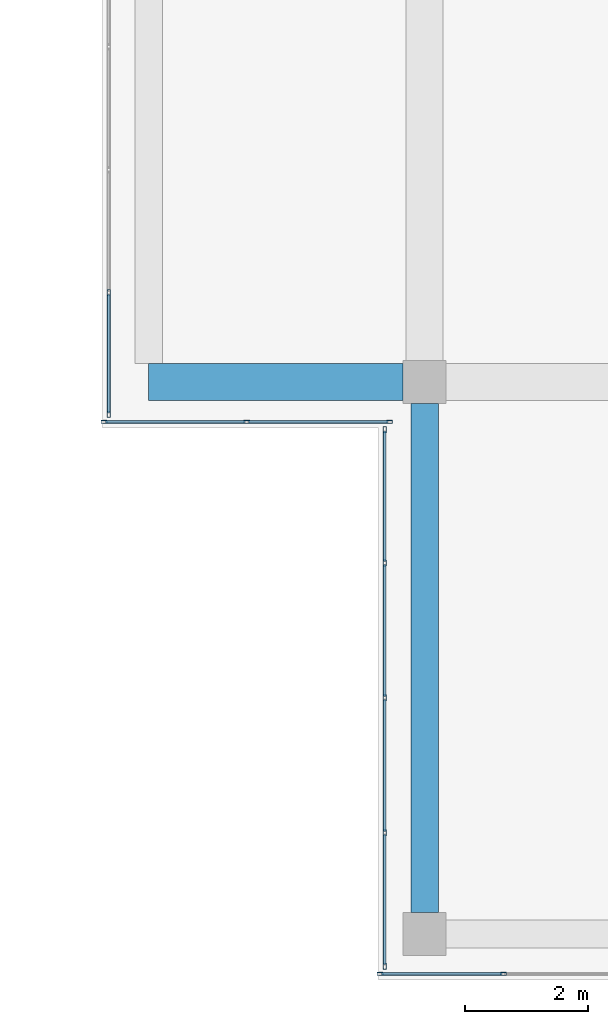
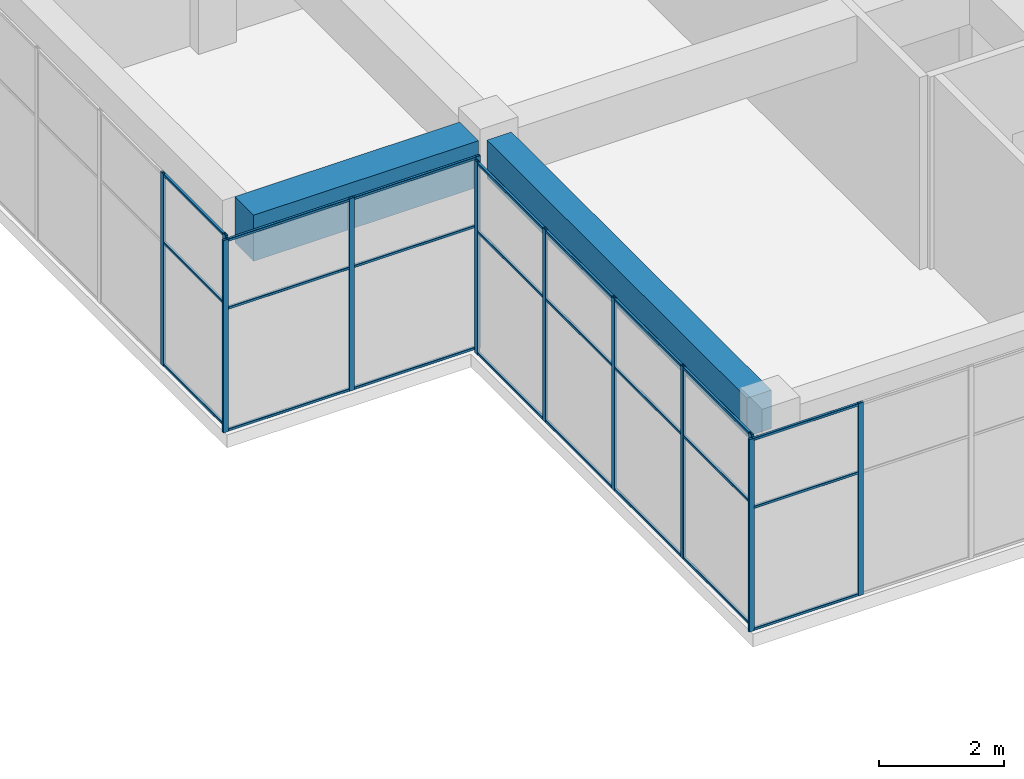
# One storey, part 9 of 43: 36 members, 2 beams, 4 elements without a shape of their own.
"""IFC4 building model written with IfcOpenShell, lengths in metres."""

from ifc_helpers import new_model, si_unit, direction, frame, origin, origin_2d, place, context, subcontext, project, spatial, rectangle, hollow_rectangle, extrude, material, layer, layer_set, material_profile, profile_set, type_object, element, aggregate, save


model = new_model("IFC4")

# Units and contexts
model_context = context("Model", 3, precision=1e-05, world=origin(), true_north=direction((0.0, 1.0)))
body_context = subcontext(model_context, "Body", "Model", "MODEL_VIEW")
ifc_project = project(units=[si_unit("LENGTHUNIT", "METRE"), si_unit("AREAUNIT", "SQUARE_METRE"), si_unit("VOLUMEUNIT", "CUBIC_METRE"), si_unit("PLANEANGLEUNIT", "RADIAN"), si_unit("MASSUNIT", "GRAM", prefix="KILO")], contexts=[model_context])

# Site, building, storey
site_placement = place(None, origin())
site = spatial("IfcSite", under=ifc_project, at=site_placement, CompositionType="ELEMENT")
building_placement = place(site_placement, origin())
building = spatial("IfcBuilding", under=site, at=building_placement, Name="Tuart Plaza Theatre", CompositionType="ELEMENT")
storey_placement = place(building_placement, frame((0.0, 0.0, 33.5)))
storey = spatial("IfcBuildingStorey", under=building, at=storey_placement, Name="L08", CompositionType="ELEMENT", Elevation=33.5)

# Beams
ifc_material_1 = material(Name="Concrete N40 (40 MPa)", Category="concrete")
ifc_material_profile_1 = material_profile(ifc_material_1, rectangle(XDim=0.449951171875, YDim=0.75, at=origin_2d()), Name="BEAM 450x750 Concrete N40 (40 MPa)")
ifc_profile_set_1 = profile_set([ifc_material_profile_1], Name="Concrete N40 (40 MPa)")
beam_type_1 = type_object("IfcBeamType", Name="BEAM 450x750 Concrete N40 (40 MPa)", PredefinedType="BEAM", material=ifc_profile_set_1)
beam_1_placement = place(storey_placement, frame((114.0, 56.35009765625, 3.375), z_axis=(0.0, 1.0, 0.0), x_axis=(-1.0, 0.0, 0.0)))
element("IfcBeam", 1, at=beam_1_placement, inside=storey, type_object=beam_type_1, Name="RB255", PredefinedType="BEAM", context=body_context, shape_type="SweptSolid", body=[
    extrude(rectangle(XDim=0.449951171875, YDim=0.75, at=origin_2d()), origin(), (0.0, 0.0, 1.0), 8.2998046875),
])
ifc_material_2 = material(Name="Concrete N40 (40 MPa)", Category="concrete")
ifc_material_profile_2 = material_profile(ifc_material_2, rectangle(XDim=0.60009765625, YDim=0.89990234375, at=origin_2d()), Name="BEAM 600x900 Concrete N40 (40 MPa)")
ifc_profile_set_2 = profile_set([ifc_material_profile_2], Name="Concrete N40 (40 MPa)")
beam_type_2 = type_object("IfcBeamType", Name="BEAM 600x900 Concrete N40 (40 MPa)", PredefinedType="BEAM", material=ifc_profile_set_2)
beam_2_placement = place(storey_placement, frame((109.5, 65.0, 3.300048828125), z_axis=(1.0, 0.0, 0.0), x_axis=(0.0, 1.0, 0.0)))
element("IfcBeam", 2, at=beam_2_placement, inside=storey, type_object=beam_type_2, Name="RB249", PredefinedType="BEAM", context=body_context, shape_type="SweptSolid", body=[
    extrude(rectangle(XDim=0.60009765625, YDim=0.89990234375, at=origin_2d()), origin(), (0.0, 0.0, 1.0), 4.14990234375),
])

# Curtain wall, members
ifc_material_3 = material(Name="Aluminium and glass", Category="aluminium")
ifc_layer = layer(ifc_material_3, 0.10009765625)
ifc_layer_set = layer_set([ifc_layer], Name="CURTAIN WALL 2000 module")
curtain_wall_type = type_object("IfcCurtainWallType", Name="CURTAIN WALL 2000 module", PredefinedType="NOTDEFINED", material=ifc_layer_set)
curtain_wall_1_placement = place(storey_placement, origin())
curtain_wall_1 = element("IfcCurtainWall", 3, at=curtain_wall_1_placement, inside=storey, type_object=curtain_wall_type, Name="CW88", PredefinedType="NOTDEFINED")
ifc_material_4 = material(Name="Aluminium 6063-T5", Category="aluminium")
ifc_material_profile_3 = material_profile(ifc_material_4, hollow_rectangle(XDim=0.050048828125, YDim=0.10009765625, WallThickness=0.00390625, InnerFilletRadius=0.00390625, OuterFilletRadius=0.008056640625, at=origin_2d()), Name="RHS 100x50x4")
ifc_profile_set_3 = profile_set([ifc_material_profile_3], Name="Aluminium 6063-T5")
member_type_1 = type_object("IfcMemberType", Name="MULLION RHS 100x50x4", PredefinedType="MULLION", material=ifc_profile_set_3)
member_1_placement = place(storey_placement, frame((113.27490234375, 55.35009765625, 0.0), z_axis=(0.0, 0.0, 1.0), x_axis=(0.0, 1.0, 0.0)))
member_1 = element("IfcMember", 4, at=member_1_placement, type_object=member_type_1, Name="CW88 mullion 1", PredefinedType="MULLION", context=body_context, shape_type="SweptSolid", body=[
    extrude(hollow_rectangle(XDim=0.050048828125, YDim=0.10009765625, WallThickness=0.00390625, InnerFilletRadius=0.00390625, OuterFilletRadius=0.008056640625, at=origin_2d()), origin(), (0.0, 0.0, 1.0), 3.75),
])
member_2_placement = place(storey_placement, frame((115.28564453125, 55.35009765625, 0.0), z_axis=(0.0, 0.0, 1.0), x_axis=(0.0, 1.0, 0.0)))
member_2 = element("IfcMember", 5, at=member_2_placement, type_object=member_type_1, Name="CW88 mullion 2", PredefinedType="MULLION", context=body_context, shape_type="SweptSolid", body=[
    extrude(hollow_rectangle(XDim=0.050048828125, YDim=0.10009765625, WallThickness=0.00390625, InnerFilletRadius=0.00390625, OuterFilletRadius=0.008056640625, at=origin_2d()), origin(), (0.0, 0.0, 1.0), 3.75),
])

curtain_wall_2_placement = place(storey_placement, origin())
curtain_wall_2 = element("IfcCurtainWall", 6, at=curtain_wall_2_placement, inside=storey, type_object=curtain_wall_type, Name="CW97", PredefinedType="NOTDEFINED")
member_3_placement = place(storey_placement, frame((108.85009765625, 66.45703125, 0.0), z_axis=(0.0, 0.0, 1.0), x_axis=(1.0, 0.0, 0.0)))
member_3 = element("IfcMember", 7, at=member_3_placement, type_object=member_type_1, Name="CW97 mullion 14", PredefinedType="MULLION", context=body_context, shape_type="SweptSolid", body=[
    extrude(hollow_rectangle(XDim=0.050048828125, YDim=0.10009765625, WallThickness=0.00390625, InnerFilletRadius=0.00390625, OuterFilletRadius=0.008056640625, at=origin_2d()), origin(), (0.0, 0.0, 1.0), 3.75),
])
member_4_placement = place(storey_placement, frame((108.85009765625, 64.47509765625, 0.0), z_axis=(0.0, 0.0, 1.0), x_axis=(1.0, 0.0, 0.0)))
member_4 = element("IfcMember", 8, at=member_4_placement, type_object=member_type_1, Name="CW97 mullion 15", PredefinedType="MULLION", context=body_context, shape_type="SweptSolid", body=[
    extrude(hollow_rectangle(XDim=0.050048828125, YDim=0.10009765625, WallThickness=0.00390625, InnerFilletRadius=0.00390625, OuterFilletRadius=0.008056640625, at=origin_2d()), origin(), (0.0, 0.0, 1.0), 3.75),
])

curtain_wall_3_placement = place(storey_placement, origin())
curtain_wall_3 = element("IfcCurtainWall", 9, at=curtain_wall_3_placement, inside=storey, type_object=curtain_wall_type, Name="CW98", PredefinedType="NOTDEFINED")
member_5_placement = place(storey_placement, frame((108.77490234375, 64.35009765625, 0.0), z_axis=(0.0, 0.0, 1.0), x_axis=(0.0, 1.0, 0.0)))
member_5 = element("IfcMember", 10, at=member_5_placement, type_object=member_type_1, Name="CW98 mullion 1", PredefinedType="MULLION", context=body_context, shape_type="SweptSolid", body=[
    extrude(hollow_rectangle(XDim=0.050048828125, YDim=0.10009765625, WallThickness=0.00390625, InnerFilletRadius=0.00390625, OuterFilletRadius=0.008056640625, at=origin_2d()), origin(), (0.0, 0.0, 1.0), 3.75),
])
member_6_placement = place(storey_placement, frame((111.10009765625, 64.35009765625, 0.0), z_axis=(0.0, 0.0, 1.0), x_axis=(0.0, 1.0, 0.0)))
member_6 = element("IfcMember", 11, at=member_6_placement, type_object=member_type_1, Name="CW98 mullion 2", PredefinedType="MULLION", context=body_context, shape_type="SweptSolid", body=[
    extrude(hollow_rectangle(XDim=0.050048828125, YDim=0.10009765625, WallThickness=0.00390625, InnerFilletRadius=0.00390625, OuterFilletRadius=0.008056640625, at=origin_2d()), origin(), (0.0, 0.0, 1.0), 3.75),
])
member_7_placement = place(storey_placement, frame((113.425048828125, 64.35009765625, 0.0), z_axis=(0.0, 0.0, 1.0), x_axis=(0.0, 1.0, 0.0)))
member_7 = element("IfcMember", 12, at=member_7_placement, type_object=member_type_1, Name="CW98 mullion 3", PredefinedType="MULLION", context=body_context, shape_type="SweptSolid", body=[
    extrude(hollow_rectangle(XDim=0.050048828125, YDim=0.10009765625, WallThickness=0.00390625, InnerFilletRadius=0.00390625, OuterFilletRadius=0.008056640625, at=origin_2d()), origin(), (0.0, 0.0, 1.0), 3.75),
])

curtain_wall_4_placement = place(storey_placement, origin())
curtain_wall_4 = element("IfcCurtainWall", 13, at=curtain_wall_4_placement, inside=storey, type_object=curtain_wall_type, Name="CW99", PredefinedType="NOTDEFINED")
member_8_placement = place(storey_placement, frame((113.35009765625, 64.22509765625, 0.0), z_axis=(0.0, 0.0, 1.0), x_axis=(1.0, 0.0, 0.0)))
member_8 = element("IfcMember", 14, at=member_8_placement, type_object=member_type_1, Name="CW99 mullion 1", PredefinedType="MULLION", context=body_context, shape_type="SweptSolid", body=[
    extrude(hollow_rectangle(XDim=0.050048828125, YDim=0.10009765625, WallThickness=0.00390625, InnerFilletRadius=0.00390625, OuterFilletRadius=0.008056640625, at=origin_2d()), origin(), (0.0, 0.0, 1.0), 3.75),
])
member_9_placement = place(storey_placement, frame((113.35009765625, 62.050048828125, 0.0), z_axis=(0.0, 0.0, 1.0), x_axis=(1.0, 0.0, 0.0)))
member_9 = element("IfcMember", 15, at=member_9_placement, type_object=member_type_1, Name="CW99 mullion 2", PredefinedType="MULLION", context=body_context, shape_type="SweptSolid", body=[
    extrude(hollow_rectangle(XDim=0.050048828125, YDim=0.10009765625, WallThickness=0.00390625, InnerFilletRadius=0.00390625, OuterFilletRadius=0.008056640625, at=origin_2d()), origin(), (0.0, 0.0, 1.0), 3.75),
])
member_10_placement = place(storey_placement, frame((113.35009765625, 59.85009765625, 0.0), z_axis=(0.0, 0.0, 1.0), x_axis=(1.0, 0.0, 0.0)))
member_10 = element("IfcMember", 16, at=member_10_placement, type_object=member_type_1, Name="CW99 mullion 3", PredefinedType="MULLION", context=body_context, shape_type="SweptSolid", body=[
    extrude(hollow_rectangle(XDim=0.050048828125, YDim=0.10009765625, WallThickness=0.00390625, InnerFilletRadius=0.00390625, OuterFilletRadius=0.008056640625, at=origin_2d()), origin(), (0.0, 0.0, 1.0), 3.75),
])
member_11_placement = place(storey_placement, frame((113.35009765625, 57.64990234375, 0.0), z_axis=(0.0, 0.0, 1.0), x_axis=(1.0, 0.0, 0.0)))
member_11 = element("IfcMember", 17, at=member_11_placement, type_object=member_type_1, Name="CW99 mullion 4", PredefinedType="MULLION", context=body_context, shape_type="SweptSolid", body=[
    extrude(hollow_rectangle(XDim=0.050048828125, YDim=0.10009765625, WallThickness=0.00390625, InnerFilletRadius=0.00390625, OuterFilletRadius=0.008056640625, at=origin_2d()), origin(), (0.0, 0.0, 1.0), 3.75),
])
member_12_placement = place(storey_placement, frame((113.35009765625, 55.47509765625, 0.0), z_axis=(0.0, 0.0, 1.0), x_axis=(1.0, 0.0, 0.0)))
member_12 = element("IfcMember", 18, at=member_12_placement, type_object=member_type_1, Name="CW99 mullion 5", PredefinedType="MULLION", context=body_context, shape_type="SweptSolid", body=[
    extrude(hollow_rectangle(XDim=0.050048828125, YDim=0.10009765625, WallThickness=0.00390625, InnerFilletRadius=0.00390625, OuterFilletRadius=0.008056640625, at=origin_2d()), origin(), (0.0, 0.0, 1.0), 3.75),
])

# Member
ifc_material_5 = material(Name="Aluminium 6063-T5", Category="aluminium")
ifc_material_profile_4 = material_profile(ifc_material_5, hollow_rectangle(XDim=0.050048828125, YDim=0.050048828125, WallThickness=0.00390625, InnerFilletRadius=0.00390625, OuterFilletRadius=0.008056640625, at=origin_2d()), Name="RHS 50x50x4")
ifc_profile_set_4 = profile_set([ifc_material_profile_4], Name="Aluminium 6063-T5")
member_type_2 = type_object("IfcMemberType", Name="TRANSOM RHS 50x50x4", PredefinedType="USERDEFINED", material=ifc_profile_set_4)
member_13_placement = place(storey_placement, frame((113.300048828125, 55.35009765625, 0.02490234375), z_axis=(1.0, 0.0, 0.0), x_axis=(0.0, 1.0, 0.0)))
member_13 = element("IfcMember", 19, at=member_13_placement, type_object=member_type_2, Name="CW88 transom 1.1", ObjectType="TRANSOM", PredefinedType="USERDEFINED", context=body_context, shape_type="SweptSolid", body=[
    extrude(hollow_rectangle(XDim=0.050048828125, YDim=0.050048828125, WallThickness=0.00390625, InnerFilletRadius=0.00390625, OuterFilletRadius=0.008056640625, at=origin_2d()), origin(), (0.0, 0.0, 1.0), 1.960693359375),
])

member_14_placement = place(storey_placement, frame((113.300048828125, 55.35009765625, 2.39990234375), z_axis=(1.0, 0.0, 0.0), x_axis=(0.0, 1.0, 0.0)))
member_14 = element("IfcMember", 20, at=member_14_placement, type_object=member_type_2, Name="CW88 transom 1.2", ObjectType="TRANSOM", PredefinedType="USERDEFINED", context=body_context, shape_type="SweptSolid", body=[
    extrude(hollow_rectangle(XDim=0.050048828125, YDim=0.050048828125, WallThickness=0.00390625, InnerFilletRadius=0.00390625, OuterFilletRadius=0.008056640625, at=origin_2d()), origin(), (0.0, 0.0, 1.0), 1.960693359375),
])

member_15_placement = place(storey_placement, frame((113.300048828125, 55.35009765625, 3.72509765625), z_axis=(1.0, 0.0, 0.0), x_axis=(0.0, 1.0, 0.0)))
member_15 = element("IfcMember", 21, at=member_15_placement, type_object=member_type_2, Name="CW88 transom 1.3", ObjectType="TRANSOM", PredefinedType="USERDEFINED", context=body_context, shape_type="SweptSolid", body=[
    extrude(hollow_rectangle(XDim=0.050048828125, YDim=0.050048828125, WallThickness=0.00390625, InnerFilletRadius=0.00390625, OuterFilletRadius=0.008056640625, at=origin_2d()), origin(), (0.0, 0.0, 1.0), 1.960693359375),
])

aggregate(curtain_wall_1, [member_1, member_2, member_13, member_14, member_15])

member_16_placement = place(storey_placement, frame((108.85009765625, 66.43212890625, 0.02490234375), z_axis=(0.0, -1.0, 0.0), x_axis=(1.0, 0.0, 0.0)))
member_16 = element("IfcMember", 22, at=member_16_placement, type_object=member_type_2, Name="CW97 transom 14.1", ObjectType="TRANSOM", PredefinedType="USERDEFINED", context=body_context, shape_type="SweptSolid", body=[
    extrude(hollow_rectangle(XDim=0.050048828125, YDim=0.050048828125, WallThickness=0.00390625, InnerFilletRadius=0.00390625, OuterFilletRadius=0.008056640625, at=origin_2d()), origin(), (0.0, 0.0, 1.0), 1.93212890625),
])

member_17_placement = place(storey_placement, frame((108.85009765625, 66.43212890625, 2.39990234375), z_axis=(0.0, -1.0, 0.0), x_axis=(1.0, 0.0, 0.0)))
member_17 = element("IfcMember", 23, at=member_17_placement, type_object=member_type_2, Name="CW97 transom 14.2", ObjectType="TRANSOM", PredefinedType="USERDEFINED", context=body_context, shape_type="SweptSolid", body=[
    extrude(hollow_rectangle(XDim=0.050048828125, YDim=0.050048828125, WallThickness=0.00390625, InnerFilletRadius=0.00390625, OuterFilletRadius=0.008056640625, at=origin_2d()), origin(), (0.0, 0.0, 1.0), 1.93212890625),
])

member_18_placement = place(storey_placement, frame((108.85009765625, 66.43212890625, 3.72509765625), z_axis=(0.0, -1.0, 0.0), x_axis=(1.0, 0.0, 0.0)))
member_18 = element("IfcMember", 24, at=member_18_placement, type_object=member_type_2, Name="CW97 transom 14.3", ObjectType="TRANSOM", PredefinedType="USERDEFINED", context=body_context, shape_type="SweptSolid", body=[
    extrude(hollow_rectangle(XDim=0.050048828125, YDim=0.050048828125, WallThickness=0.00390625, InnerFilletRadius=0.00390625, OuterFilletRadius=0.008056640625, at=origin_2d()), origin(), (0.0, 0.0, 1.0), 1.93212890625),
])

aggregate(curtain_wall_2, [member_3, member_4, member_16, member_17, member_18])

member_19_placement = place(storey_placement, frame((108.800048828125, 64.35009765625, 0.02490234375), z_axis=(1.0, 0.0, 0.0), x_axis=(0.0, 1.0, 0.0)))
member_19 = element("IfcMember", 25, at=member_19_placement, type_object=member_type_2, Name="CW98 transom 1.1", ObjectType="TRANSOM", PredefinedType="USERDEFINED", context=body_context, shape_type="SweptSolid", body=[
    extrude(hollow_rectangle(XDim=0.050048828125, YDim=0.050048828125, WallThickness=0.00390625, InnerFilletRadius=0.00390625, OuterFilletRadius=0.008056640625, at=origin_2d()), origin(), (0.0, 0.0, 1.0), 2.27490234375),
])

member_20_placement = place(storey_placement, frame((108.800048828125, 64.35009765625, 2.39990234375), z_axis=(1.0, 0.0, 0.0), x_axis=(0.0, 1.0, 0.0)))
member_20 = element("IfcMember", 26, at=member_20_placement, type_object=member_type_2, Name="CW98 transom 1.2", ObjectType="TRANSOM", PredefinedType="USERDEFINED", context=body_context, shape_type="SweptSolid", body=[
    extrude(hollow_rectangle(XDim=0.050048828125, YDim=0.050048828125, WallThickness=0.00390625, InnerFilletRadius=0.00390625, OuterFilletRadius=0.008056640625, at=origin_2d()), origin(), (0.0, 0.0, 1.0), 2.27490234375),
])

member_21_placement = place(storey_placement, frame((108.800048828125, 64.35009765625, 3.72509765625), z_axis=(1.0, 0.0, 0.0), x_axis=(0.0, 1.0, 0.0)))
member_21 = element("IfcMember", 27, at=member_21_placement, type_object=member_type_2, Name="CW98 transom 1.3", ObjectType="TRANSOM", PredefinedType="USERDEFINED", context=body_context, shape_type="SweptSolid", body=[
    extrude(hollow_rectangle(XDim=0.050048828125, YDim=0.050048828125, WallThickness=0.00390625, InnerFilletRadius=0.00390625, OuterFilletRadius=0.008056640625, at=origin_2d()), origin(), (0.0, 0.0, 1.0), 2.27490234375),
])

member_22_placement = place(storey_placement, frame((111.125, 64.35009765625, 0.02490234375), z_axis=(1.0, 0.0, 0.0), x_axis=(0.0, 1.0, 0.0)))
member_22 = element("IfcMember", 28, at=member_22_placement, type_object=member_type_2, Name="CW98 transom 2.1", ObjectType="TRANSOM", PredefinedType="USERDEFINED", context=body_context, shape_type="SweptSolid", body=[
    extrude(hollow_rectangle(XDim=0.050048828125, YDim=0.050048828125, WallThickness=0.00390625, InnerFilletRadius=0.00390625, OuterFilletRadius=0.008056640625, at=origin_2d()), origin(), (0.0, 0.0, 1.0), 2.27490234375),
])

member_23_placement = place(storey_placement, frame((111.125, 64.35009765625, 2.39990234375), z_axis=(1.0, 0.0, 0.0), x_axis=(0.0, 1.0, 0.0)))
member_23 = element("IfcMember", 29, at=member_23_placement, type_object=member_type_2, Name="CW98 transom 2.2", ObjectType="TRANSOM", PredefinedType="USERDEFINED", context=body_context, shape_type="SweptSolid", body=[
    extrude(hollow_rectangle(XDim=0.050048828125, YDim=0.050048828125, WallThickness=0.00390625, InnerFilletRadius=0.00390625, OuterFilletRadius=0.008056640625, at=origin_2d()), origin(), (0.0, 0.0, 1.0), 2.27490234375),
])

member_24_placement = place(storey_placement, frame((111.125, 64.35009765625, 3.72509765625), z_axis=(1.0, 0.0, 0.0), x_axis=(0.0, 1.0, 0.0)))
member_24 = element("IfcMember", 30, at=member_24_placement, type_object=member_type_2, Name="CW98 transom 2.3", ObjectType="TRANSOM", PredefinedType="USERDEFINED", context=body_context, shape_type="SweptSolid", body=[
    extrude(hollow_rectangle(XDim=0.050048828125, YDim=0.050048828125, WallThickness=0.00390625, InnerFilletRadius=0.00390625, OuterFilletRadius=0.008056640625, at=origin_2d()), origin(), (0.0, 0.0, 1.0), 2.27490234375),
])

aggregate(curtain_wall_3, [member_5, member_6, member_7, member_19, member_20, member_21, member_22, member_23, member_24])

member_25_placement = place(storey_placement, frame((113.35009765625, 64.199951171875, 0.02490234375), z_axis=(0.0, -1.0, 0.0), x_axis=(1.0, 0.0, 0.0)))
member_25 = element("IfcMember", 31, at=member_25_placement, type_object=member_type_2, Name="CW99 transom 1.1", ObjectType="TRANSOM", PredefinedType="USERDEFINED", context=body_context, shape_type="SweptSolid", body=[
    extrude(hollow_rectangle(XDim=0.050048828125, YDim=0.050048828125, WallThickness=0.00390625, InnerFilletRadius=0.00390625, OuterFilletRadius=0.008056640625, at=origin_2d()), origin(), (0.0, 0.0, 1.0), 2.125),
])

member_26_placement = place(storey_placement, frame((113.35009765625, 64.199951171875, 2.39990234375), z_axis=(0.0, -1.0, 0.0), x_axis=(1.0, 0.0, 0.0)))
member_26 = element("IfcMember", 32, at=member_26_placement, type_object=member_type_2, Name="CW99 transom 1.2", ObjectType="TRANSOM", PredefinedType="USERDEFINED", context=body_context, shape_type="SweptSolid", body=[
    extrude(hollow_rectangle(XDim=0.050048828125, YDim=0.050048828125, WallThickness=0.00390625, InnerFilletRadius=0.00390625, OuterFilletRadius=0.008056640625, at=origin_2d()), origin(), (0.0, 0.0, 1.0), 2.125),
])

member_27_placement = place(storey_placement, frame((113.35009765625, 64.199951171875, 3.72509765625), z_axis=(0.0, -1.0, 0.0), x_axis=(1.0, 0.0, 0.0)))
member_27 = element("IfcMember", 33, at=member_27_placement, type_object=member_type_2, Name="CW99 transom 1.3", ObjectType="TRANSOM", PredefinedType="USERDEFINED", context=body_context, shape_type="SweptSolid", body=[
    extrude(hollow_rectangle(XDim=0.050048828125, YDim=0.050048828125, WallThickness=0.00390625, InnerFilletRadius=0.00390625, OuterFilletRadius=0.008056640625, at=origin_2d()), origin(), (0.0, 0.0, 1.0), 2.125),
])

member_28_placement = place(storey_placement, frame((113.35009765625, 62.02490234375, 0.02490234375), z_axis=(0.0, -1.0, 0.0), x_axis=(1.0, 0.0, 0.0)))
member_28 = element("IfcMember", 34, at=member_28_placement, type_object=member_type_2, Name="CW99 transom 2.1", ObjectType="TRANSOM", PredefinedType="USERDEFINED", context=body_context, shape_type="SweptSolid", body=[
    extrude(hollow_rectangle(XDim=0.050048828125, YDim=0.050048828125, WallThickness=0.00390625, InnerFilletRadius=0.00390625, OuterFilletRadius=0.008056640625, at=origin_2d()), origin(), (0.0, 0.0, 1.0), 2.14990234375),
])

member_29_placement = place(storey_placement, frame((113.35009765625, 62.02490234375, 2.39990234375), z_axis=(0.0, -1.0, 0.0), x_axis=(1.0, 0.0, 0.0)))
member_29 = element("IfcMember", 35, at=member_29_placement, type_object=member_type_2, Name="CW99 transom 2.2", ObjectType="TRANSOM", PredefinedType="USERDEFINED", context=body_context, shape_type="SweptSolid", body=[
    extrude(hollow_rectangle(XDim=0.050048828125, YDim=0.050048828125, WallThickness=0.00390625, InnerFilletRadius=0.00390625, OuterFilletRadius=0.008056640625, at=origin_2d()), origin(), (0.0, 0.0, 1.0), 2.14990234375),
])

member_30_placement = place(storey_placement, frame((113.35009765625, 62.02490234375, 3.72509765625), z_axis=(0.0, -1.0, 0.0), x_axis=(1.0, 0.0, 0.0)))
member_30 = element("IfcMember", 36, at=member_30_placement, type_object=member_type_2, Name="CW99 transom 2.3", ObjectType="TRANSOM", PredefinedType="USERDEFINED", context=body_context, shape_type="SweptSolid", body=[
    extrude(hollow_rectangle(XDim=0.050048828125, YDim=0.050048828125, WallThickness=0.00390625, InnerFilletRadius=0.00390625, OuterFilletRadius=0.008056640625, at=origin_2d()), origin(), (0.0, 0.0, 1.0), 2.14990234375),
])

member_31_placement = place(storey_placement, frame((113.35009765625, 59.824951171875, 0.02490234375), z_axis=(0.0, -1.0, 0.0), x_axis=(1.0, 0.0, 0.0)))
member_31 = element("IfcMember", 37, at=member_31_placement, type_object=member_type_2, Name="CW99 transom 3.1", ObjectType="TRANSOM", PredefinedType="USERDEFINED", context=body_context, shape_type="SweptSolid", body=[
    extrude(hollow_rectangle(XDim=0.050048828125, YDim=0.050048828125, WallThickness=0.00390625, InnerFilletRadius=0.00390625, OuterFilletRadius=0.008056640625, at=origin_2d()), origin(), (0.0, 0.0, 1.0), 2.14990234375),
])

member_32_placement = place(storey_placement, frame((113.35009765625, 59.824951171875, 2.39990234375), z_axis=(0.0, -1.0, 0.0), x_axis=(1.0, 0.0, 0.0)))
member_32 = element("IfcMember", 38, at=member_32_placement, type_object=member_type_2, Name="CW99 transom 3.2", ObjectType="TRANSOM", PredefinedType="USERDEFINED", context=body_context, shape_type="SweptSolid", body=[
    extrude(hollow_rectangle(XDim=0.050048828125, YDim=0.050048828125, WallThickness=0.00390625, InnerFilletRadius=0.00390625, OuterFilletRadius=0.008056640625, at=origin_2d()), origin(), (0.0, 0.0, 1.0), 2.14990234375),
])

member_33_placement = place(storey_placement, frame((113.35009765625, 59.824951171875, 3.72509765625), z_axis=(0.0, -1.0, 0.0), x_axis=(1.0, 0.0, 0.0)))
member_33 = element("IfcMember", 39, at=member_33_placement, type_object=member_type_2, Name="CW99 transom 3.3", ObjectType="TRANSOM", PredefinedType="USERDEFINED", context=body_context, shape_type="SweptSolid", body=[
    extrude(hollow_rectangle(XDim=0.050048828125, YDim=0.050048828125, WallThickness=0.00390625, InnerFilletRadius=0.00390625, OuterFilletRadius=0.008056640625, at=origin_2d()), origin(), (0.0, 0.0, 1.0), 2.14990234375),
])

member_34_placement = place(storey_placement, frame((113.35009765625, 57.625, 0.02490234375), z_axis=(0.0, -1.0, 0.0), x_axis=(1.0, 0.0, 0.0)))
member_34 = element("IfcMember", 40, at=member_34_placement, type_object=member_type_2, Name="CW99 transom 4.1", ObjectType="TRANSOM", PredefinedType="USERDEFINED", context=body_context, shape_type="SweptSolid", body=[
    extrude(hollow_rectangle(XDim=0.050048828125, YDim=0.050048828125, WallThickness=0.00390625, InnerFilletRadius=0.00390625, OuterFilletRadius=0.008056640625, at=origin_2d()), origin(), (0.0, 0.0, 1.0), 2.125),
])

member_35_placement = place(storey_placement, frame((113.35009765625, 57.625, 2.39990234375), z_axis=(0.0, -1.0, 0.0), x_axis=(1.0, 0.0, 0.0)))
member_35 = element("IfcMember", 41, at=member_35_placement, type_object=member_type_2, Name="CW99 transom 4.2", ObjectType="TRANSOM", PredefinedType="USERDEFINED", context=body_context, shape_type="SweptSolid", body=[
    extrude(hollow_rectangle(XDim=0.050048828125, YDim=0.050048828125, WallThickness=0.00390625, InnerFilletRadius=0.00390625, OuterFilletRadius=0.008056640625, at=origin_2d()), origin(), (0.0, 0.0, 1.0), 2.125),
])

member_36_placement = place(storey_placement, frame((113.35009765625, 57.625, 3.72509765625), z_axis=(0.0, -1.0, 0.0), x_axis=(1.0, 0.0, 0.0)))
member_36 = element("IfcMember", 42, at=member_36_placement, type_object=member_type_2, Name="CW99 transom 4.3", ObjectType="TRANSOM", PredefinedType="USERDEFINED", context=body_context, shape_type="SweptSolid", body=[
    extrude(hollow_rectangle(XDim=0.050048828125, YDim=0.050048828125, WallThickness=0.00390625, InnerFilletRadius=0.00390625, OuterFilletRadius=0.008056640625, at=origin_2d()), origin(), (0.0, 0.0, 1.0), 2.125),
])

aggregate(curtain_wall_4, [member_8, member_9, member_10, member_11, member_12, member_25, member_26, member_27, member_28, member_29, member_30, member_31, member_32, member_33, member_34, member_35, member_36])

save(model, "model.ifc")
